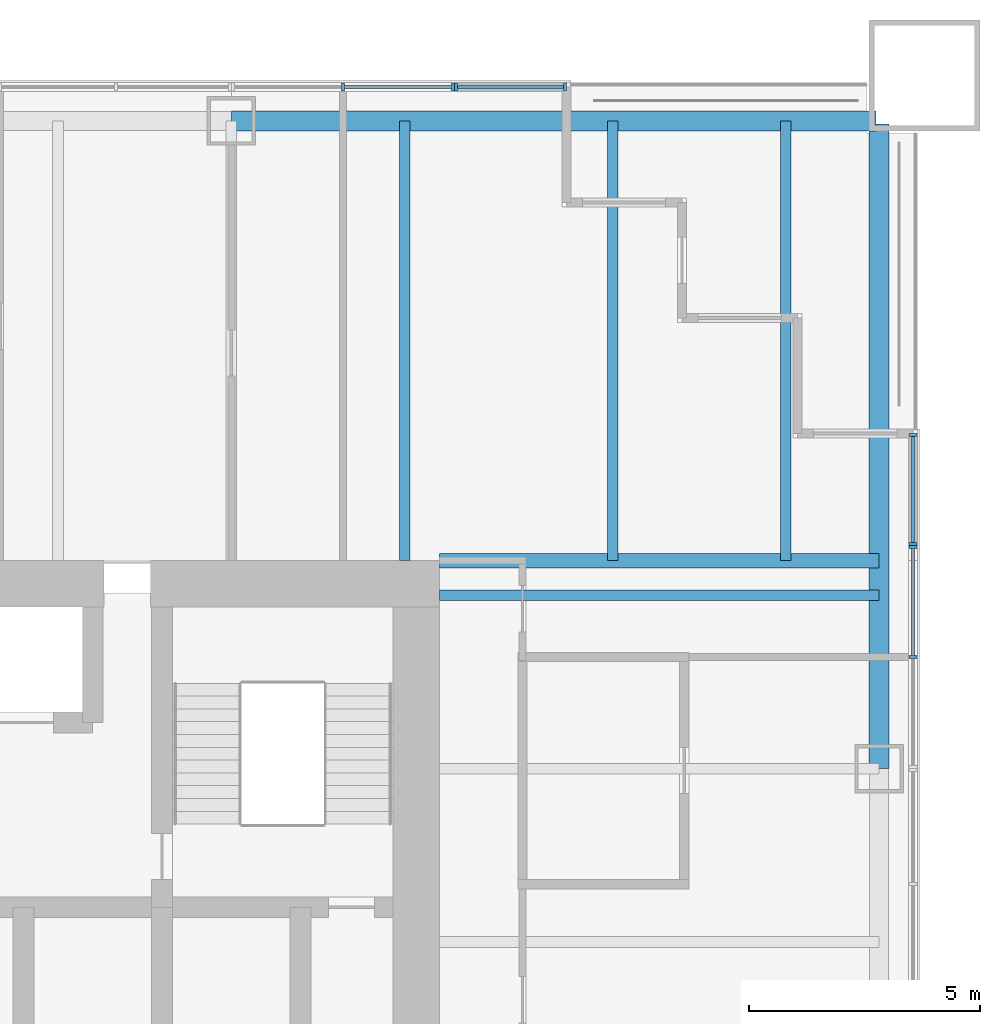
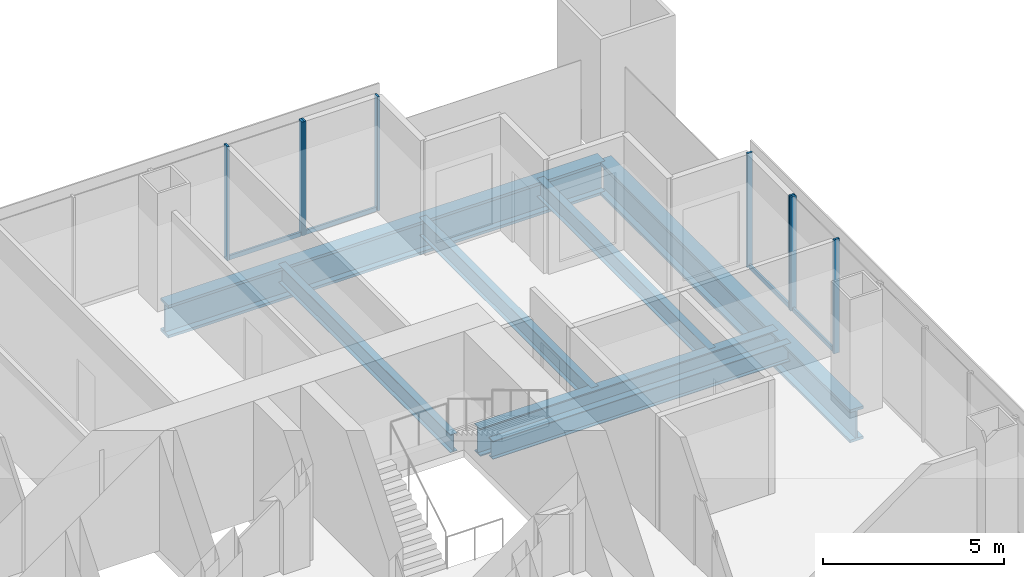
# One storey, part 6 of 13: 12 members, 7 beams, 4 elements without a shape of their own.
"""IFC4 building model written with IfcOpenShell, lengths in metres."""

from ifc_helpers import new_model, si_unit, direction, frame, origin, origin_2d, place, context, subcontext, project, spatial, rectangle, i_section, extrude, material, material_profile, profile_set, type_object, element, aggregate, save


model = new_model("IFC4")

# Units and contexts
model_context = context("Model", 3, precision=1e-05, world=origin(), true_north=direction((0.0, 1.0)))
body_context = subcontext(model_context, "Body", "Model", "MODEL_VIEW")
ifc_project = project(units=[si_unit("LENGTHUNIT", "METRE"), si_unit("AREAUNIT", "SQUARE_METRE"), si_unit("VOLUMEUNIT", "CUBIC_METRE"), si_unit("PLANEANGLEUNIT", "RADIAN"), si_unit("MASSUNIT", "GRAM", prefix="KILO")], contexts=[model_context])

# Site, building, storey
site_placement = place(None, origin())
site = spatial("IfcSite", under=ifc_project, at=site_placement, CompositionType="ELEMENT")
building_placement = place(site_placement, origin())
building = spatial("IfcBuilding", under=site, at=building_placement, Name="Tarangal Relay Tower", CompositionType="ELEMENT")
storey_placement = place(building_placement, frame((0.0, 0.0, 181.89990234375)))
storey = spatial("IfcBuildingStorey", under=building, at=storey_placement, Name="L37", CompositionType="ELEMENT", Elevation=181.89990234375)

# Beams
ifc_material_1 = material(Name="Steel ASTM A992", Category="steel")
ifc_material_profile_1 = material_profile(ifc_material_1, i_section(OverallWidth=0.227783203125, OverallDepth=0.60205078125, WebThickness=0.010498046875, FlangeThickness=0.014892578125, at=origin_2d()), Name="W24X68")
ifc_profile_set_1 = profile_set([ifc_material_profile_1], Name="Steel ASTM A992")
beam_type_1 = type_object("IfcBeamType", Name="Corner beam W24X68", PredefinedType="JOIST", material=ifc_profile_set_1)
for number, where, z_axis, x_axis, name in (
    (1, (15.75, 12.0, -0.450927734375), (0.0, 1.0, 0.0), (-1.0, 0.0, 0.0), "Corner beam CB11 N L37"),
    (2, (19.5, 12.0, -0.450927734375), (0.0, 1.0, 0.0), (-1.0, 0.0, 0.0), "Corner beam CB11 N L37"),
):
    element("IfcBeam", number, at=place(storey_placement, frame(where, z_axis=z_axis, x_axis=x_axis)), inside=storey, type_object=beam_type_1, Name=name, PredefinedType="JOIST", context=body_context, shape_type="SweptSolid", body=[
        extrude(i_section(OverallWidth=0.227783203125, OverallDepth=0.60205078125, WebThickness=0.010498046875, FlangeThickness=0.014892578125, at=origin_2d()), origin(), (0.0, 0.0, 1.0), 9.514892578125),
    ])
ifc_material_profile_2 = material_profile(ifc_material_1, i_section(OverallWidth=0.307373046875, OverallDepth=0.9423828125, WebThickness=0.022216796875, FlangeThickness=0.039794921875, at=origin_2d()), Name="W36X232")
ifc_profile_set_2 = profile_set([ifc_material_profile_2], Name="Steel ASTM A992")
beam_type_2 = type_object("IfcBeamType", Name="Corner girder W36X232", PredefinedType="BEAM", material=ifc_profile_set_2)
beam_placement = place(storey_placement, frame((12.0, 12.0, -0.62109375), z_axis=(1.0, 0.0, 0.0), x_axis=(0.0, 1.0, 0.0)))
element("IfcBeam", 3, at=beam_placement, inside=storey, type_object=beam_type_2, Name="Corner girder CG4 N L37", PredefinedType="BEAM", context=body_context, shape_type="SweptSolid", body=[
    extrude(i_section(OverallWidth=0.307373046875, OverallDepth=0.9423828125, WebThickness=0.022216796875, FlangeThickness=0.039794921875, at=origin_2d()), origin(), (0.0, 0.0, 1.0), 9.514892578125),
])
ifc_material_profile_3 = material_profile(ifc_material_1, i_section(OverallWidth=0.42919921875, OverallDepth=1.107421875, WebThickness=0.050048828125, FlangeThickness=0.08984375, at=origin_2d()), Name="W40X655")
ifc_profile_set_3 = profile_set([ifc_material_profile_3], Name="Steel ASTM A992")
beam_type_3 = type_object("IfcBeamType", Name="Edge girder W40X655", PredefinedType="SPANDREL", material=ifc_profile_set_3)
for number, where, z_axis, x_axis, name in (
    (4, (7.5, 21.514892578125, -0.70361328125), (1.0, 0.0, 0.0), (0.0, 1.0, 0.0), "Edge girder EG10 N L37"),
    (5, (21.514892578125, 21.449951171875, -0.70361328125), (0.0, -1.0, 0.0), (1.0, 0.0, 0.0), "Edge girder EG10 E L37"),
):
    element("IfcBeam", number, at=place(storey_placement, frame(where, z_axis=z_axis, x_axis=x_axis)), inside=storey, type_object=beam_type_3, Name=name, PredefinedType="SPANDREL", context=body_context, shape_type="SweptSolid", body=[
        extrude(i_section(OverallWidth=0.42919921875, OverallDepth=1.107421875, WebThickness=0.050048828125, FlangeThickness=0.08984375, at=origin_2d()), origin(), (0.0, 0.0, 1.0), 13.949951171875),
    ])
ifc_material_profile_4 = material_profile(ifc_material_1, i_section(OverallWidth=0.22900390625, OverallDepth=0.612060546875, WebThickness=0.011962890625, FlangeThickness=0.01953125, at=origin_2d()), Name="W24X84")
ifc_profile_set_4 = profile_set([ifc_material_profile_4], Name="Steel ASTM A992")
beam_type_4 = type_object("IfcBeamType", Name="Floor beam W24X84", PredefinedType="BEAM", material=ifc_profile_set_4)
for number, where, z_axis, x_axis, name in (
    (6, (11.25, 12.0, -0.455810546875), (0.0, 1.0, 0.0), (-1.0, 0.0, 0.0), "Floor beam RB12 N L37"),
    (7, (12.0, 11.25, -0.455810546875), (1.0, 0.0, 0.0), (0.0, 1.0, 0.0), "Floor beam RB12 E L37"),
):
    element("IfcBeam", number, at=place(storey_placement, frame(where, z_axis=z_axis, x_axis=x_axis)), inside=storey, type_object=beam_type_4, Name=name, PredefinedType="BEAM", context=body_context, shape_type="SweptSolid", body=[
        extrude(i_section(OverallWidth=0.22900390625, OverallDepth=0.612060546875, WebThickness=0.011962890625, FlangeThickness=0.01953125, at=origin_2d()), origin(), (0.0, 0.0, 1.0), 9.514892578125),
    ])

# Curtain wall, members
ifc_material_2 = material(Name="Unitised curtain wall, dark glass and black aluminium", Category="aluminium")
curtain_wall_type_1 = type_object("IfcCurtainWallType", Name="Curtain wall CW-A", PredefinedType="USERDEFINED", material=ifc_material_2)
curtain_wall_1_placement = place(storey_placement, origin())
curtain_wall_1 = element("IfcCurtainWall", 8, at=curtain_wall_1_placement, inside=storey, type_object=curtain_wall_type_1, Name="Curtain wall CW-A N facade L37", ObjectType="UNITISED CURTAIN WALL", PredefinedType="USERDEFINED")
ifc_material_3 = material(Name="Black anodised aluminium mullion", Category="aluminium")
ifc_material_profile_5 = material_profile(ifc_material_3, rectangle(XDim=0.175048828125, YDim=0.06494140625, at=origin_2d()), Name="CW-AM 65X175")
ifc_profile_set_5 = profile_set([ifc_material_profile_5], Name="Black anodised aluminium mullion")
member_type_1 = type_object("IfcMemberType", Name="Mullion CW-A 65 x 175", PredefinedType="MULLION", material=ifc_profile_set_5)
member_1_placement = place(storey_placement, frame((9.916748046875, 22.25, 0.0), z_axis=(0.0, 0.0, 1.0), x_axis=(0.0, 1.0, 0.0)))
member_1 = element("IfcMember", 9, at=member_1_placement, type_object=member_type_1, Name="CW-A mullion 2", PredefinedType="MULLION", context=body_context, shape_type="SweptSolid", body=[
    extrude(rectangle(XDim=0.175048828125, YDim=0.06494140625, at=origin_2d()), origin(), (0.0, 0.0, 1.0), 3.85009765625),
])
member_2_placement = place(storey_placement, frame((12.30078125, 22.25, 0.0), z_axis=(0.0, 0.0, 1.0), x_axis=(0.0, 1.0, 0.0)))
member_2 = element("IfcMember", 10, at=member_2_placement, type_object=member_type_1, Name="CW-A mullion 3", PredefinedType="MULLION", context=body_context, shape_type="SweptSolid", body=[
    extrude(rectangle(XDim=0.175048828125, YDim=0.06494140625, at=origin_2d()), origin(), (0.0, 0.0, 1.0), 3.85009765625),
])

curtain_wall_2_placement = place(storey_placement, origin())
curtain_wall_2 = element("IfcCurtainWall", 11, at=curtain_wall_2_placement, inside=storey, type_object=curtain_wall_type_1, Name="Curtain wall CW-A E facade L37", ObjectType="UNITISED CURTAIN WALL", PredefinedType="USERDEFINED")
member_3_placement = place(storey_placement, frame((22.25, 12.30078125, 0.0), z_axis=(0.0, 0.0, 1.0), x_axis=(1.0, 0.0, 0.0)))
member_3 = element("IfcMember", 12, at=member_3_placement, type_object=member_type_1, Name="CW-A mullion 1", PredefinedType="MULLION", context=body_context, shape_type="SweptSolid", body=[
    extrude(rectangle(XDim=0.175048828125, YDim=0.06494140625, at=origin_2d()), origin(), (0.0, 0.0, 1.0), 3.85009765625),
])
member_4_placement = place(storey_placement, frame((22.25, 9.916748046875, 0.0), z_axis=(0.0, 0.0, 1.0), x_axis=(1.0, 0.0, 0.0)))
member_4 = element("IfcMember", 13, at=member_4_placement, type_object=member_type_1, Name="CW-A mullion 2", PredefinedType="MULLION", context=body_context, shape_type="SweptSolid", body=[
    extrude(rectangle(XDim=0.175048828125, YDim=0.06494140625, at=origin_2d()), origin(), (0.0, 0.0, 1.0), 3.85009765625),
])

ifc_material_4 = material(Name="Unitised curtain wall frame, black aluminium, with metal clad infill walls", Category="aluminium")
curtain_wall_type_2 = type_object("IfcCurtainWallType", Name="Curtain wall CW-AO", PredefinedType="USERDEFINED", material=ifc_material_4)
curtain_wall_3_placement = place(storey_placement, origin())
curtain_wall_3 = element("IfcCurtainWall", 14, at=curtain_wall_3_placement, inside=storey, type_object=curtain_wall_type_2, Name="Curtain wall CW-AO N facade L37", ObjectType="UNITISED CURTAIN WALL", PredefinedType="USERDEFINED")
ifc_material_profile_6 = material_profile(ifc_material_3, rectangle(XDim=0.175048828125, YDim=0.06494140625, at=origin_2d()), Name="CW-AOM 65X175")
ifc_profile_set_6 = profile_set([ifc_material_profile_6], Name="Black anodised aluminium mullion")
member_type_2 = type_object("IfcMemberType", Name="Mullion CW-AO 65 x 175", PredefinedType="MULLION", material=ifc_profile_set_6)
member_5_placement = place(storey_placement, frame((12.36572265625, 22.25, 0.0), z_axis=(0.0, 0.0, 1.0), x_axis=(0.0, 1.0, 0.0)))
member_5 = element("IfcMember", 15, at=member_5_placement, type_object=member_type_2, Name="CW-AO mullion 1", PredefinedType="MULLION", context=body_context, shape_type="SweptSolid", body=[
    extrude(rectangle(XDim=0.175048828125, YDim=0.06494140625, at=origin_2d()), origin(), (0.0, 0.0, 1.0), 3.85009765625),
])
member_6_placement = place(storey_placement, frame((14.717529296875, 22.25, 0.0), z_axis=(0.0, 0.0, 1.0), x_axis=(0.0, 1.0, 0.0)))
member_6 = element("IfcMember", 16, at=member_6_placement, type_object=member_type_2, Name="CW-AO mullion 2", PredefinedType="MULLION", context=body_context, shape_type="SweptSolid", body=[
    extrude(rectangle(XDim=0.175048828125, YDim=0.06494140625, at=origin_2d()), origin(), (0.0, 0.0, 1.0), 3.85009765625),
])

curtain_wall_4_placement = place(storey_placement, origin())
curtain_wall_4 = element("IfcCurtainWall", 17, at=curtain_wall_4_placement, inside=storey, type_object=curtain_wall_type_2, Name="Curtain wall CW-AO E facade L37", ObjectType="UNITISED CURTAIN WALL", PredefinedType="USERDEFINED")
member_7_placement = place(storey_placement, frame((22.25, 14.717529296875, 0.0), z_axis=(0.0, 0.0, 1.0), x_axis=(1.0, 0.0, 0.0)))
member_7 = element("IfcMember", 18, at=member_7_placement, type_object=member_type_2, Name="CW-AO mullion 1", PredefinedType="MULLION", context=body_context, shape_type="SweptSolid", body=[
    extrude(rectangle(XDim=0.175048828125, YDim=0.06494140625, at=origin_2d()), origin(), (0.0, 0.0, 1.0), 3.85009765625),
])
member_8_placement = place(storey_placement, frame((22.25, 12.36572265625, 0.0), z_axis=(0.0, 0.0, 1.0), x_axis=(1.0, 0.0, 0.0)))
member_8 = element("IfcMember", 19, at=member_8_placement, type_object=member_type_2, Name="CW-AO mullion 2", PredefinedType="MULLION", context=body_context, shape_type="SweptSolid", body=[
    extrude(rectangle(XDim=0.175048828125, YDim=0.06494140625, at=origin_2d()), origin(), (0.0, 0.0, 1.0), 3.85009765625),
])

# Member
ifc_material_5 = material(Name="Black anodised aluminium transom", Category="aluminium")
ifc_material_profile_7 = material_profile(ifc_material_5, rectangle(XDim=0.06494140625, YDim=0.14990234375, at=origin_2d()), Name="CW-AT 65X150")
ifc_profile_set_7 = profile_set([ifc_material_profile_7], Name="Black anodised aluminium transom")
member_type_3 = type_object("IfcMemberType", Name="Transom CW-A 65 x 150", PredefinedType="USERDEFINED", material=ifc_profile_set_7)
member_9_placement = place(storey_placement, frame((9.94921875, 22.25, 0.03271484375), z_axis=(1.0, 0.0, 0.0), x_axis=(0.0, 1.0, 0.0)))
member_9 = element("IfcMember", 20, at=member_9_placement, type_object=member_type_3, Name="CW-A transom 2.1", ObjectType="TRANSOM", PredefinedType="USERDEFINED", context=body_context, shape_type="SweptSolid", body=[
    extrude(rectangle(XDim=0.06494140625, YDim=0.14990234375, at=origin_2d()), origin(), (0.0, 0.0, 1.0), 2.319091796875),
])

aggregate(curtain_wall_1, [member_1, member_2, member_9])

member_10_placement = place(storey_placement, frame((22.25, 12.268310546875, 0.03271484375), z_axis=(0.0, -1.0, 0.0), x_axis=(1.0, 0.0, 0.0)))
member_10 = element("IfcMember", 21, at=member_10_placement, type_object=member_type_3, Name="CW-A transom 1.1", ObjectType="TRANSOM", PredefinedType="USERDEFINED", context=body_context, shape_type="SweptSolid", body=[
    extrude(rectangle(XDim=0.06494140625, YDim=0.14990234375, at=origin_2d()), origin(), (0.0, 0.0, 1.0), 2.319091796875),
])

aggregate(curtain_wall_2, [member_3, member_4, member_10])

ifc_material_profile_8 = material_profile(ifc_material_5, rectangle(XDim=0.06494140625, YDim=0.14990234375, at=origin_2d()), Name="CW-AOT 65X150")
ifc_profile_set_8 = profile_set([ifc_material_profile_8], Name="Black anodised aluminium transom")
member_type_4 = type_object("IfcMemberType", Name="Transom CW-AO 65 x 150", PredefinedType="USERDEFINED", material=ifc_profile_set_8)
member_11_placement = place(storey_placement, frame((12.398193359375, 22.25, 0.03271484375), z_axis=(1.0, 0.0, 0.0), x_axis=(0.0, 1.0, 0.0)))
member_11 = element("IfcMember", 22, at=member_11_placement, type_object=member_type_4, Name="CW-AO transom 1.1", ObjectType="TRANSOM", PredefinedType="USERDEFINED", context=body_context, shape_type="SweptSolid", body=[
    extrude(rectangle(XDim=0.06494140625, YDim=0.14990234375, at=origin_2d()), origin(), (0.0, 0.0, 1.0), 2.286865234375),
])

aggregate(curtain_wall_3, [member_5, member_6, member_11])

member_12_placement = place(storey_placement, frame((22.25, 14.68505859375, 0.03271484375), z_axis=(0.0, -1.0, 0.0), x_axis=(1.0, 0.0, 0.0)))
member_12 = element("IfcMember", 23, at=member_12_placement, type_object=member_type_4, Name="CW-AO transom 1.1", ObjectType="TRANSOM", PredefinedType="USERDEFINED", context=body_context, shape_type="SweptSolid", body=[
    extrude(rectangle(XDim=0.06494140625, YDim=0.14990234375, at=origin_2d()), origin(), (0.0, 0.0, 1.0), 2.286865234375),
])

aggregate(curtain_wall_4, [member_7, member_8, member_12])

save(model, "model.ifc")
